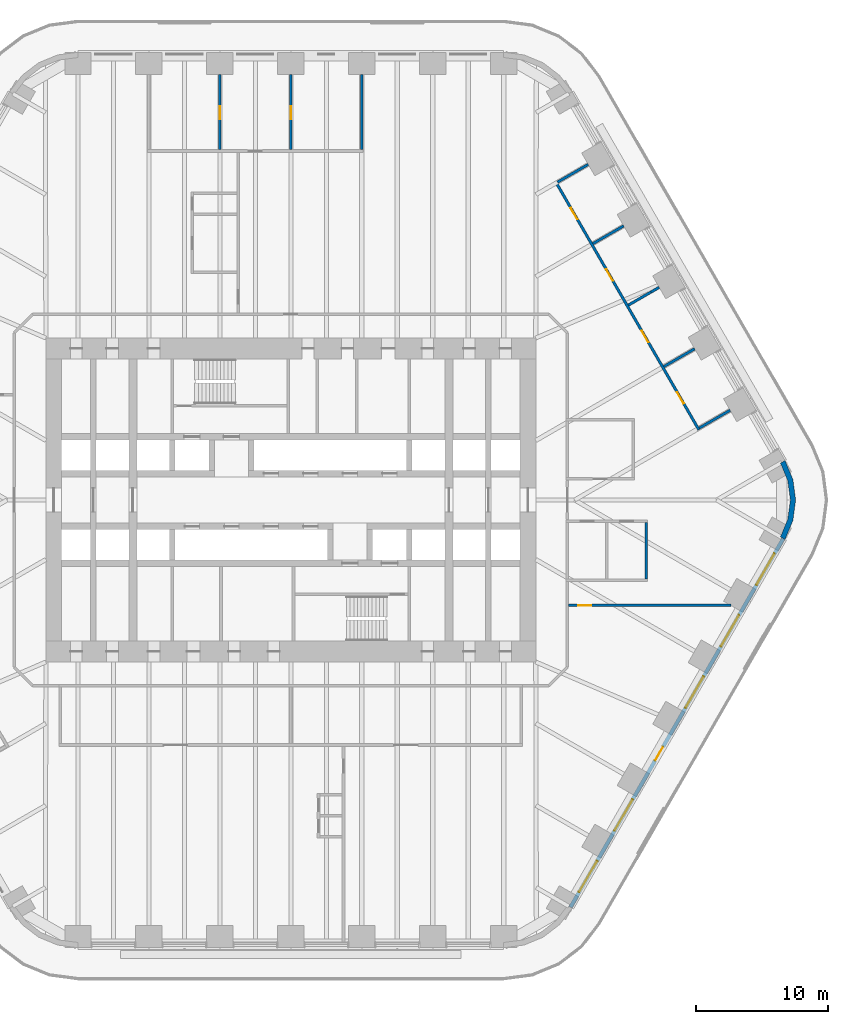
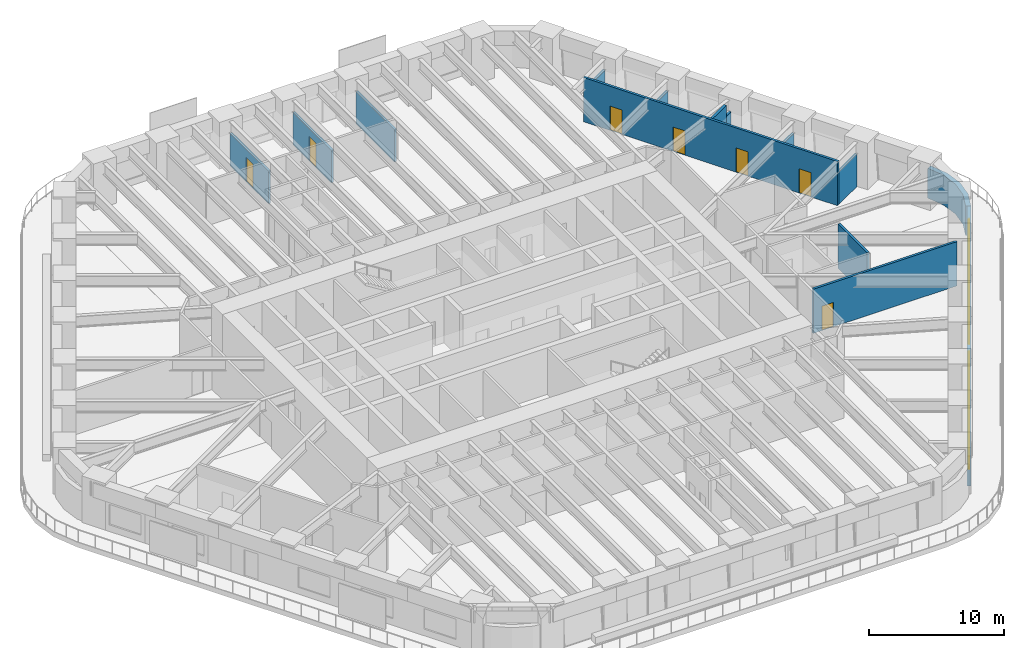
# One storey, part 20 of 24: 14 walls, 8 doors, 5 windows, 13 openings.
"""IFC4 building model written with IfcOpenShell, lengths in metres."""

from ifc_helpers import new_model, si_unit, direction, frame, frame_2d, origin, place, context, subcontext, project, spatial, polyline, rectangle, outline, extrude, material, layer, layer_set, type_object, element, fill, save


model = new_model("IFC4")

# Units and contexts
model_context = context("Model", 3, precision=1e-05, world=origin(), true_north=direction((0.0, 1.0)))
body_context = subcontext(model_context, "Body", "Model", "MODEL_VIEW")
ifc_project = project(units=[si_unit("LENGTHUNIT", "METRE"), si_unit("AREAUNIT", "SQUARE_METRE"), si_unit("VOLUMEUNIT", "CUBIC_METRE"), si_unit("PLANEANGLEUNIT", "RADIAN"), si_unit("MASSUNIT", "GRAM", prefix="KILO")], contexts=[model_context])

# Site, building, storey
site_placement = place(None, origin())
site = spatial("IfcSite", under=ifc_project, at=site_placement, CompositionType="ELEMENT")
building_placement = place(site_placement, origin())
building = spatial("IfcBuilding", under=site, at=building_placement, Name="Tarfa Lantern Tower", CompositionType="ELEMENT")
storey_placement = place(building_placement, frame((0.0, 0.0, 69.699951171875)))
storey = spatial("IfcBuildingStorey", under=building, at=storey_placement, Name="L15", CompositionType="ELEMENT", Elevation=69.699951171875)

# Wall, openings, door, windows
ifc_material_1 = material(Name="Limestone cladding on blockwork", Category="masonry")
ifc_layer_1 = layer(ifc_material_1, 0.300048828125)
ifc_layer_set_1 = layer_set([ifc_layer_1], Name="EW1 STONE-CLAD WALL 300")
wall_type_1 = type_object("IfcWallType", Name="EW1 STONE-CLAD WALL 300", PredefinedType="SOLIDWALL", material=ifc_layer_set_1)
wall_1_placement = place(storey_placement, frame((21.232177734375, -30.925048828125, 0.0), z_axis=(0.0, 0.0, 1.0), x_axis=(0.499999163675, 0.866025886636, 0.0)))
wall_1 = element("IfcWall", 1, at=wall_1_placement, inside=storey, type_object=wall_type_1, Name="Stone wall SE", PredefinedType="SOLIDWALL", context=body_context, shape_type="SweptSolid", body=[
    extrude(rectangle(XDim=32.33154296875, YDim=0.300048828125, at=frame_2d((16.165771484375, 0.0))), origin(), (0.0, 0.0, 1.0), 2.699951171875),
])
opening_1_placement = place(wall_1_placement, frame((1.3193359375, 0.0, 0.60009765625)))
opening_1 = element("IfcOpeningElement", 2, at=opening_1_placement, cuts=wall_1, Name="Opening W2", PredefinedType="OPENING", context=body_context, shape_type="SweptSolid", body=[
    extrude(rectangle(XDim=2.75, YDim=1.85009765625, at=frame_2d((1.375, 0.925048828125))), frame((0.0, 0.159912109375, 0.0), z_axis=(0.0, -1.0, 0.0), x_axis=(1.0, 0.0, 0.0)), (0.0, 0.0, 1.0), 0.320068359375),
])
opening_2_placement = place(wall_1_placement, frame((6.7080078125, 0.0, 0.60009765625)))
opening_2 = element("IfcOpeningElement", 3, at=opening_2_placement, cuts=wall_1, Name="Opening W2", PredefinedType="OPENING", context=body_context, shape_type="SweptSolid", body=[
    extrude(rectangle(XDim=2.75, YDim=1.85009765625, at=frame_2d((1.375, 0.925048828125))), frame((0.0, 0.159912109375, 0.0), z_axis=(0.0, -1.0, 0.0), x_axis=(1.0, 0.0, 0.0)), (0.0, 0.0, 1.0), 0.320068359375),
])
opening_3_placement = place(wall_1_placement, frame((12.87158203125, 0.0, 0.0)))
opening_3 = element("IfcOpeningElement", 4, at=opening_3_placement, cuts=wall_1, Name="Opening D55", PredefinedType="OPENING", context=body_context, shape_type="SweptSolid", body=[
    extrude(rectangle(XDim=1.199951171875, YDim=2.39990234375, at=frame_2d((0.60009765625, 1.199951171875))), frame((0.0, 0.159912109375, 0.0), z_axis=(0.0, -1.0, 0.0), x_axis=(1.0, 0.0, 0.0)), (0.0, 0.0, 1.0), 0.320068359375),
])
opening_4_placement = place(wall_1_placement, frame((17.485107421875, 0.0, 0.60009765625)))
opening_4 = element("IfcOpeningElement", 5, at=opening_4_placement, cuts=wall_1, Name="Opening W2", PredefinedType="OPENING", context=body_context, shape_type="SweptSolid", body=[
    extrude(rectangle(XDim=2.75, YDim=1.85009765625, at=frame_2d((1.375, 0.925048828125))), frame((0.0, 0.159912109375, 0.0), z_axis=(0.0, -1.0, 0.0), x_axis=(1.0, 0.0, 0.0)), (0.0, 0.0, 1.0), 0.320068359375),
])
opening_5_placement = place(wall_1_placement, frame((22.873779296875, 0.0, 0.60009765625)))
opening_5 = element("IfcOpeningElement", 6, at=opening_5_placement, cuts=wall_1, Name="Opening W2", PredefinedType="OPENING", context=body_context, shape_type="SweptSolid", body=[
    extrude(rectangle(XDim=2.75, YDim=1.85009765625, at=frame_2d((1.375, 0.925048828125))), frame((0.0, 0.159912109375, 0.0), z_axis=(0.0, -1.0, 0.0), x_axis=(1.0, 0.0, 0.0)), (0.0, 0.0, 1.0), 0.320068359375),
])
opening_6_placement = place(wall_1_placement, frame((28.26220703125, 0.0, 0.60009765625)))
opening_6 = element("IfcOpeningElement", 7, at=opening_6_placement, cuts=wall_1, Name="Opening W2", PredefinedType="OPENING", context=body_context, shape_type="SweptSolid", body=[
    extrude(rectangle(XDim=2.75, YDim=1.85009765625, at=frame_2d((1.375, 0.925048828125))), frame((0.0, 0.159912109375, 0.0), z_axis=(0.0, -1.0, 0.0), x_axis=(1.0, 0.0, 0.0)), (0.0, 0.0, 1.0), 0.320068359375),
])
ifc_material_2 = material(Name="Aluminium framed glazed door", Category="aluminium")
door_type_1 = type_object("IfcDoorType", Name="BE3 BALCONY DOOR 1200x2400", OperationType="SINGLE_SWING_RIGHT", PredefinedType="DOOR", material=ifc_material_2)
door_1_placement = place(opening_3_placement, origin())
door_1 = element("IfcDoor", 8, at=door_1_placement, inside=storey, type_object=door_type_1, Name="Balcony door SE", OperationType="SINGLE_SWING_RIGHT", OverallHeight=2.39990234375, OverallWidth=1.199951171875, PredefinedType="DOOR", context=body_context, shape_type="SweptSolid", body=[
    extrude(rectangle(XDim=1.199951171875, YDim=2.39990234375, at=frame_2d((0.60009765625, 1.199951171875))), frame((0.0, 0.02490234375, 0.0), z_axis=(0.0, -1.0, 0.0), x_axis=(1.0, 0.0, 0.0)), (0.0, 0.0, 1.0), 0.050048828125),
])
fill(opening_3, door_1)
ifc_material_3 = material(Name="Aluminium frame, double glazed", Category="aluminium")
window_type = type_object("IfcWindowType", Name="W2 FULL-HEIGHT GLAZING 2750x1850", PartitioningType="SINGLE_PANEL", PredefinedType="WINDOW", material=ifc_material_3)
window_1_placement = place(opening_1_placement, origin())
window_1 = element("IfcWindow", 9, at=window_1_placement, inside=storey, type_object=window_type, Name="Window SE 1", OverallHeight=1.85009765625, OverallWidth=2.75, PartitioningType="SINGLE_PANEL", PredefinedType="WINDOW", context=body_context, shape_type="SweptSolid", body=[
    extrude(rectangle(XDim=2.75, YDim=1.85009765625, at=frame_2d((1.375, 0.925048828125))), frame((0.0, 0.030029296875, 0.0), z_axis=(0.0, -1.0, 0.0), x_axis=(1.0, 0.0, 0.0)), (0.0, 0.0, 1.0), 0.06005859375),
])
fill(opening_1, window_1)
window_2_placement = place(opening_2_placement, origin())
window_2 = element("IfcWindow", 10, at=window_2_placement, inside=storey, type_object=window_type, Name="Window SE 2", OverallHeight=1.85009765625, OverallWidth=2.75, PartitioningType="SINGLE_PANEL", PredefinedType="WINDOW", context=body_context, shape_type="SweptSolid", body=[
    extrude(rectangle(XDim=2.75, YDim=1.85009765625, at=frame_2d((1.375, 0.925048828125))), frame((0.0, 0.030029296875, 0.0), z_axis=(0.0, -1.0, 0.0), x_axis=(1.0, 0.0, 0.0)), (0.0, 0.0, 1.0), 0.06005859375),
])
fill(opening_2, window_2)
window_3_placement = place(opening_4_placement, origin())
window_3 = element("IfcWindow", 11, at=window_3_placement, inside=storey, type_object=window_type, Name="Window SE 4", OverallHeight=1.85009765625, OverallWidth=2.75, PartitioningType="SINGLE_PANEL", PredefinedType="WINDOW", context=body_context, shape_type="SweptSolid", body=[
    extrude(rectangle(XDim=2.75, YDim=1.85009765625, at=frame_2d((1.375, 0.925048828125))), frame((0.0, 0.030029296875, 0.0), z_axis=(0.0, -1.0, 0.0), x_axis=(1.0, 0.0, 0.0)), (0.0, 0.0, 1.0), 0.06005859375),
])
fill(opening_4, window_3)
window_4_placement = place(opening_5_placement, origin())
window_4 = element("IfcWindow", 12, at=window_4_placement, inside=storey, type_object=window_type, Name="Window SE 5", OverallHeight=1.85009765625, OverallWidth=2.75, PartitioningType="SINGLE_PANEL", PredefinedType="WINDOW", context=body_context, shape_type="SweptSolid", body=[
    extrude(rectangle(XDim=2.75, YDim=1.85009765625, at=frame_2d((1.375, 0.925048828125))), frame((0.0, 0.030029296875, 0.0), z_axis=(0.0, -1.0, 0.0), x_axis=(1.0, 0.0, 0.0)), (0.0, 0.0, 1.0), 0.06005859375),
])
fill(opening_5, window_4)
window_5_placement = place(opening_6_placement, origin())
window_5 = element("IfcWindow", 13, at=window_5_placement, inside=storey, type_object=window_type, Name="Window SE 6", OverallHeight=1.85009765625, OverallWidth=2.75, PartitioningType="SINGLE_PANEL", PredefinedType="WINDOW", context=body_context, shape_type="SweptSolid", body=[
    extrude(rectangle(XDim=2.75, YDim=1.85009765625, at=frame_2d((1.375, 0.925048828125))), frame((0.0, 0.030029296875, 0.0), z_axis=(0.0, -1.0, 0.0), x_axis=(1.0, 0.0, 0.0)), (0.0, 0.0, 1.0), 0.06005859375),
])
fill(opening_6, window_5)

# Walls
ifc_layer_2 = layer(ifc_material_1, 0.39990234375)
ifc_layer_set_2 = layer_set([ifc_layer_2], Name="EW2 CURVED STONE CORNER 400")
wall_type_2 = type_object("IfcWallType", Name="EW2 CURVED STONE CORNER 400", PredefinedType="SOLIDWALL", material=ifc_layer_set_2)
wall_2_placement = place(storey_placement, origin())
element("IfcWall", 14, at=wall_2_placement, inside=storey, type_object=wall_type_2, Name="Stone corner SE-NE", PredefinedType="SOLIDWALL", context=body_context, shape_type="SweptSolid", body=[
    extrude(outline(polyline([(37.52783203125, -3.0), (38.127197265625, -1.552978515625), (38.33154296875, 0.0), (38.127197265625, 1.552978515625), (37.52783203125, 3.0), (37.181396484375, 2.800048828125), (37.74072265625, 1.449462890625), (37.931640625, 0.0), (37.74072265625, -1.449462890625), (37.181396484375, -2.800048828125), (37.52783203125, -3.0)])), origin(), (0.0, 0.0, 1.0), 2.699951171875),
])
ifc_material_4 = material(Name="Gypsum board on steel studs", Category="steel")
ifc_layer_3 = layer(ifc_material_4, 0.2099609375)
ifc_layer_set_3 = layer_set([ifc_layer_3], Name="IW2 ACOUSTIC PARTITION 200")
wall_type_3 = type_object("IfcWallType", Name="IW2 ACOUSTIC PARTITION 200", PredefinedType="PARTITIONING", material=ifc_layer_set_3)
wall_3_placement = place(storey_placement, frame((5.388671875, 26.60009765625, 0.0), z_axis=(0.0, 0.0, 1.0), x_axis=(0.0, 1.0, 0.0)))
element("IfcWall", 15, at=wall_3_placement, inside=storey, type_object=wall_type_3, Name="Partition", PredefinedType="PARTITIONING", context=body_context, shape_type="SweptSolid", body=[
    extrude(rectangle(XDim=5.699951171875, YDim=0.199951171875, at=frame_2d((2.85009765625, 0.0))), origin(), (0.0, 0.0, 1.0), 2.944091796875),
])

# Wall, opening, door
wall_4_placement = place(storey_placement, frame((0.0, 26.60009765625, 0.0), z_axis=(0.0, 0.0, 1.0), x_axis=(0.0, 1.0, 0.0)))
wall_4 = element("IfcWall", 16, at=wall_4_placement, inside=storey, type_object=wall_type_3, Name="Partition", PredefinedType="PARTITIONING", context=body_context, shape_type="SweptSolid", body=[
    extrude(rectangle(XDim=5.699951171875, YDim=0.199951171875, at=frame_2d((2.85009765625, 0.0))), origin(), (0.0, 0.0, 1.0), 2.944091796875),
])
opening_7_placement = place(wall_4_placement, frame((2.300048828125, 0.0, 0.0)))
opening_7 = element("IfcOpeningElement", 17, at=opening_7_placement, cuts=wall_4, Name="Opening D32", PredefinedType="OPENING", context=body_context, shape_type="SweptSolid", body=[
    extrude(rectangle(XDim=1.0, YDim=2.199951171875, at=frame_2d((0.5, 1.10009765625))), frame((0.0, 0.10986328125, 0.0), z_axis=(0.0, -1.0, 0.0), x_axis=(1.0, 0.0, 0.0)), (0.0, 0.0, 1.0), 0.219970703125),
])
ifc_material_5 = material(Name="Timber door", Category="wood")
door_type_2 = type_object("IfcDoorType", Name="DR1 ROOM DOOR 1000x2200", OperationType="SINGLE_SWING_LEFT", PredefinedType="DOOR", material=ifc_material_5)
door_2_placement = place(opening_7_placement, origin())
door_2 = element("IfcDoor", 18, at=door_2_placement, inside=storey, type_object=door_type_2, Name="Negotiation room door", OperationType="SINGLE_SWING_RIGHT", OverallHeight=2.199951171875, OverallWidth=1.0, PredefinedType="DOOR", context=body_context, shape_type="SweptSolid", body=[
    extrude(rectangle(XDim=1.0, YDim=2.199951171875, at=frame_2d((0.5, 1.10009765625))), frame((0.0, 0.02490234375, 0.0), z_axis=(0.0, -1.0, 0.0), x_axis=(1.0, 0.0, 0.0)), (0.0, 0.0, 1.0), 0.050048828125),
])
fill(opening_7, door_2)

wall_5_placement = place(storey_placement, frame((-5.388671875, 26.60009765625, 0.0), z_axis=(0.0, 0.0, 1.0), x_axis=(0.0, 1.0, 0.0)))
wall_5 = element("IfcWall", 19, at=wall_5_placement, inside=storey, type_object=wall_type_3, Name="Partition", PredefinedType="PARTITIONING", context=body_context, shape_type="SweptSolid", body=[
    extrude(rectangle(XDim=5.699951171875, YDim=0.199951171875, at=frame_2d((2.85009765625, 0.0))), origin(), (0.0, 0.0, 1.0), 2.944091796875),
])
opening_8_placement = place(wall_5_placement, frame((2.300048828125, 0.0, 0.0)))
opening_8 = element("IfcOpeningElement", 20, at=opening_8_placement, cuts=wall_5, Name="Opening D34", PredefinedType="OPENING", context=body_context, shape_type="SweptSolid", body=[
    extrude(rectangle(XDim=1.0, YDim=2.199951171875, at=frame_2d((0.5, 1.10009765625))), frame((0.0, 0.10986328125, 0.0), z_axis=(0.0, -1.0, 0.0), x_axis=(1.0, 0.0, 0.0)), (0.0, 0.0, 1.0), 0.219970703125),
])
door_3_placement = place(opening_8_placement, origin())
door_3 = element("IfcDoor", 21, at=door_3_placement, inside=storey, type_object=door_type_2, Name="Negotiation room door", OperationType="SINGLE_SWING_RIGHT", OverallHeight=2.199951171875, OverallWidth=1.0, PredefinedType="DOOR", context=body_context, shape_type="SweptSolid", body=[
    extrude(rectangle(XDim=1.0, YDim=2.199951171875, at=frame_2d((0.5, 1.10009765625))), frame((0.0, 0.02490234375, 0.0), z_axis=(0.0, -1.0, 0.0), x_axis=(1.0, 0.0, 0.0)), (0.0, 0.0, 1.0), 0.050048828125),
])
fill(opening_8, door_3)

# Wall, openings, doors
wall_6_placement = place(storey_placement, frame((30.986328125, 5.330078125, 0.0), z_axis=(0.0, 0.0, 1.0), x_axis=(-0.500000289772, 0.866025236485, 0.0)))
wall_6 = element("IfcWall", 22, at=wall_6_placement, inside=storey, type_object=wall_type_3, Name="Partition", PredefinedType="PARTITIONING", context=body_context, shape_type="SweptSolid", body=[
    extrude(rectangle(XDim=21.75439453125, YDim=0.199951171875, at=frame_2d((10.877197265625, 0.0))), origin(), (0.0, 0.0, 1.0), 4.0),
])
opening_9_placement = place(wall_6_placement, frame((2.294189453125, 0.0, 0.0)))
opening_9 = element("IfcOpeningElement", 23, at=opening_9_placement, cuts=wall_6, Name="Opening D35", PredefinedType="OPENING", context=body_context, shape_type="SweptSolid", body=[
    extrude(rectangle(XDim=1.0, YDim=2.199951171875, at=frame_2d((0.5, 1.10009765625))), frame((0.0, 0.10986328125, 0.0), z_axis=(0.0, -1.0, 0.0), x_axis=(1.0, 0.0, 0.0)), (0.0, 0.0, 1.0), 0.219970703125),
])
opening_10_placement = place(wall_6_placement, frame((7.682861328125, 0.0, 0.0)))
opening_10 = element("IfcOpeningElement", 24, at=opening_10_placement, cuts=wall_6, Name="Opening D36", PredefinedType="OPENING", context=body_context, shape_type="SweptSolid", body=[
    extrude(rectangle(XDim=1.0, YDim=2.199951171875, at=frame_2d((0.5, 1.10009765625))), frame((0.0, 0.10986328125, 0.0), z_axis=(0.0, -1.0, 0.0), x_axis=(1.0, 0.0, 0.0)), (0.0, 0.0, 1.0), 0.219970703125),
])
opening_11_placement = place(wall_6_placement, frame((13.071533203125, 0.0, 0.0)))
opening_11 = element("IfcOpeningElement", 25, at=opening_11_placement, cuts=wall_6, Name="Opening D37", PredefinedType="OPENING", context=body_context, shape_type="SweptSolid", body=[
    extrude(rectangle(XDim=1.0, YDim=2.199951171875, at=frame_2d((0.5, 1.10009765625))), frame((0.0, 0.10986328125, 0.0), z_axis=(0.0, -1.0, 0.0), x_axis=(1.0, 0.0, 0.0)), (0.0, 0.0, 1.0), 0.219970703125),
])
opening_12_placement = place(wall_6_placement, frame((18.460205078125, 0.0, 0.0)))
opening_12 = element("IfcOpeningElement", 26, at=opening_12_placement, cuts=wall_6, Name="Opening D38", PredefinedType="OPENING", context=body_context, shape_type="SweptSolid", body=[
    extrude(rectangle(XDim=1.0, YDim=2.199951171875, at=frame_2d((0.5, 1.10009765625))), frame((0.0, 0.10986328125, 0.0), z_axis=(0.0, -1.0, 0.0), x_axis=(1.0, 0.0, 0.0)), (0.0, 0.0, 1.0), 0.219970703125),
])
door_4_placement = place(opening_9_placement, frame((1.0, 0.0, 0.0), z_axis=(0.0, 0.0, 1.0), x_axis=(-1.0, 0.0, 0.0)))
door_4 = element("IfcDoor", 27, at=door_4_placement, inside=storey, type_object=door_type_2, Name="Buyer's office door", OperationType="SINGLE_SWING_LEFT", OverallHeight=2.199951171875, OverallWidth=1.0, PredefinedType="DOOR", context=body_context, shape_type="SweptSolid", body=[
    extrude(rectangle(XDim=1.0, YDim=2.199951171875, at=frame_2d((0.5, 1.10009765625))), frame((0.0, 0.02490234375, 0.0), z_axis=(0.0, -1.0, 0.0), x_axis=(1.0, 0.0, 0.0)), (0.0, 0.0, 1.0), 0.050048828125),
])
fill(opening_9, door_4)
door_5_placement = place(opening_10_placement, frame((1.0, 0.0, 0.0), z_axis=(0.0, 0.0, 1.0), x_axis=(-1.0, 0.0, 0.0)))
door_5 = element("IfcDoor", 28, at=door_5_placement, inside=storey, type_object=door_type_2, Name="Buyer's office door", OperationType="SINGLE_SWING_LEFT", OverallHeight=2.199951171875, OverallWidth=1.0, PredefinedType="DOOR", context=body_context, shape_type="SweptSolid", body=[
    extrude(rectangle(XDim=1.0, YDim=2.199951171875, at=frame_2d((0.5, 1.10009765625))), frame((0.0, 0.02490234375, 0.0), z_axis=(0.0, -1.0, 0.0), x_axis=(1.0, 0.0, 0.0)), (0.0, 0.0, 1.0), 0.050048828125),
])
fill(opening_10, door_5)
door_6_placement = place(opening_11_placement, frame((1.0, 0.0, 0.0), z_axis=(0.0, 0.0, 1.0), x_axis=(-1.0, 0.0, 0.0)))
door_6 = element("IfcDoor", 29, at=door_6_placement, inside=storey, type_object=door_type_2, Name="Buyer's office door", OperationType="SINGLE_SWING_RIGHT", OverallHeight=2.199951171875, OverallWidth=1.0, PredefinedType="DOOR", context=body_context, shape_type="SweptSolid", body=[
    extrude(rectangle(XDim=1.0, YDim=2.199951171875, at=frame_2d((0.5, 1.10009765625))), frame((0.0, 0.02490234375, 0.0), z_axis=(0.0, -1.0, 0.0), x_axis=(1.0, 0.0, 0.0)), (0.0, 0.0, 1.0), 0.050048828125),
])
fill(opening_11, door_6)
door_7_placement = place(opening_12_placement, frame((1.0, 0.0, 0.0), z_axis=(0.0, 0.0, 1.0), x_axis=(-1.0, 0.0, 0.0)))
door_7 = element("IfcDoor", 30, at=door_7_placement, inside=storey, type_object=door_type_2, Name="Buyer's office door", OperationType="SINGLE_SWING_RIGHT", OverallHeight=2.199951171875, OverallWidth=1.0, PredefinedType="DOOR", context=body_context, shape_type="SweptSolid", body=[
    extrude(rectangle(XDim=1.0, YDim=2.199951171875, at=frame_2d((0.5, 1.10009765625))), frame((0.0, 0.02490234375, 0.0), z_axis=(0.0, -1.0, 0.0), x_axis=(1.0, 0.0, 0.0)), (0.0, 0.0, 1.0), 0.050048828125),
])
fill(opening_12, door_7)

# Walls
for number, where, z_axis, x_axis, name in (
    (31, (31.02294921875, 5.466552734375, 0.0), (0.0, 0.0, 1.0), (0.866019956843, 0.50000943426, 0.0), "Partition"),
    (32, (28.32861328125, 10.13330078125, 0.0), (0.0, 0.0, 1.0), (0.866019956843, 0.50000943426, 0.0), "Partition"),
):
    element("IfcWall", number, at=place(storey_placement, frame(where, z_axis=z_axis, x_axis=x_axis)), inside=storey, type_object=wall_type_3, Name=name, PredefinedType="PARTITIONING", context=body_context, shape_type="SweptSolid", body=[
        extrude(rectangle(XDim=2.7001953125, YDim=0.199951171875, at=frame_2d((1.35009765625, 0.0))), origin(), (0.0, 0.0, 1.0), 2.944091796875),
    ])
wall_7_placement = place(storey_placement, frame((25.63427734375, 14.800048828125, 0.0), z_axis=(0.0, 0.0, 1.0), x_axis=(0.866038008192, 0.49997816789, 0.0)))
element("IfcWall", 33, at=wall_7_placement, inside=storey, type_object=wall_type_3, Name="Partition", PredefinedType="PARTITIONING", context=body_context, shape_type="SweptSolid", body=[
    extrude(rectangle(XDim=1.9833984375, YDim=0.199951171875, at=frame_2d((0.99169921875, 0.0))), origin(), (0.0, 0.0, 1.0), 4.0),
])
wall_8_placement = place(storey_placement, frame((27.35205078125, 15.791748046875, 0.0), z_axis=(0.0, 0.0, 1.0), x_axis=(0.866117509073, 0.499840435016, 0.0)))
element("IfcWall", 34, at=wall_8_placement, inside=storey, type_object=wall_type_3, Name="Partition", PredefinedType="PARTITIONING", context=body_context, shape_type="SweptSolid", body=[
    extrude(rectangle(XDim=0.716552734375, YDim=0.199951171875, at=frame_2d((0.3583984375, 0.0))), origin(), (0.0, 0.0, 1.0), 2.991943359375),
])
wall_9_placement = place(storey_placement, frame((22.93994140625, 19.466552734375, 0.0), z_axis=(0.0, 0.0, 1.0), x_axis=(0.866019956843, 0.50000943426, 0.0)))
element("IfcWall", 35, at=wall_9_placement, inside=storey, type_object=wall_type_3, Name="Partition", PredefinedType="PARTITIONING", context=body_context, shape_type="SweptSolid", body=[
    extrude(rectangle(XDim=2.7001953125, YDim=0.199951171875, at=frame_2d((1.35009765625, 0.0))), origin(), (0.0, 0.0, 1.0), 2.991943359375),
])
wall_10_placement = place(storey_placement, frame((20.245849609375, 24.13330078125, 0.0), z_axis=(0.0, 0.0, 1.0), x_axis=(0.86599734893, 0.500048589285, 0.0)))
element("IfcWall", 36, at=wall_10_placement, inside=storey, type_object=wall_type_3, Name="Partition", PredefinedType="PARTITIONING", context=body_context, shape_type="SweptSolid", body=[
    extrude(rectangle(XDim=2.699951171875, YDim=0.199951171875, at=frame_2d((1.35009765625, 0.0))), origin(), (0.0, 0.0, 1.0), 2.991943359375),
])
wall_11_placement = place(storey_placement, frame((27.0, -1.699951171875, 0.0), z_axis=(0.0, 0.0, 1.0), x_axis=(0.0, -1.0, 0.0)))
element("IfcWall", 37, at=wall_11_placement, inside=storey, type_object=wall_type_3, Name="Partition", PredefinedType="PARTITIONING", context=body_context, shape_type="SweptSolid", body=[
    extrude(rectangle(XDim=4.300048828125, YDim=0.199951171875, at=frame_2d((2.14990234375, 0.0))), origin(), (0.0, 0.0, 1.0), 4.0),
])

# Wall, opening, door
wall_12_placement = place(storey_placement, frame((21.10009765625, -8.0, 0.0), z_axis=(0.0, 0.0, 1.0), x_axis=(1.0, 0.0, 0.0)))
wall_12 = element("IfcWall", 38, at=wall_12_placement, inside=storey, type_object=wall_type_3, Name="Partition", PredefinedType="PARTITIONING", context=body_context, shape_type="SweptSolid", body=[
    extrude(rectangle(XDim=12.310791015625, YDim=0.199951171875, at=frame_2d((6.1552734375, 0.0))), origin(), (0.0, 0.0, 1.0), 4.0),
])
opening_13_placement = place(wall_12_placement, frame((0.731201171875, 0.0, 0.0)))
opening_13 = element("IfcOpeningElement", 39, at=opening_13_placement, cuts=wall_12, Name="Opening D50", PredefinedType="OPENING", context=body_context, shape_type="SweptSolid", body=[
    extrude(rectangle(XDim=1.0, YDim=2.199951171875, at=frame_2d((0.5, 1.10009765625))), frame((0.0, 0.10986328125, 0.0), z_axis=(0.0, -1.0, 0.0), x_axis=(1.0, 0.0, 0.0)), (0.0, 0.0, 1.0), 0.219970703125),
])
door_8_placement = place(opening_13_placement, frame((1.0, 0.0, 0.0), z_axis=(0.0, 0.0, 1.0), x_axis=(-1.0, 0.0, 0.0)))
door_8 = element("IfcDoor", 40, at=door_8_placement, inside=storey, type_object=door_type_2, Name="Zone door", OperationType="SINGLE_SWING_LEFT", OverallHeight=2.199951171875, OverallWidth=1.0, PredefinedType="DOOR", context=body_context, shape_type="SweptSolid", body=[
    extrude(rectangle(XDim=1.0, YDim=2.199951171875, at=frame_2d((0.5, 1.10009765625))), frame((0.0, 0.02490234375, 0.0), z_axis=(0.0, -1.0, 0.0), x_axis=(1.0, 0.0, 0.0)), (0.0, 0.0, 1.0), 0.050048828125),
])
fill(opening_13, door_8)

save(model, "model.ifc")
